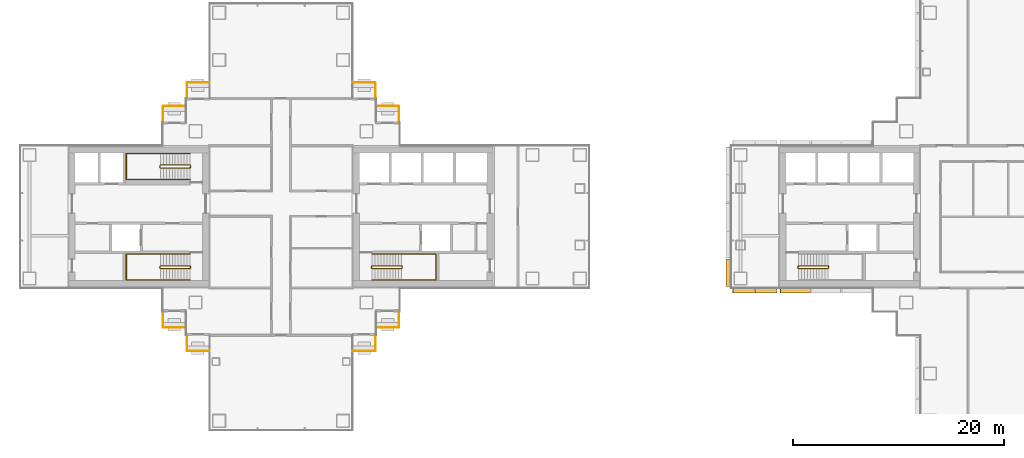
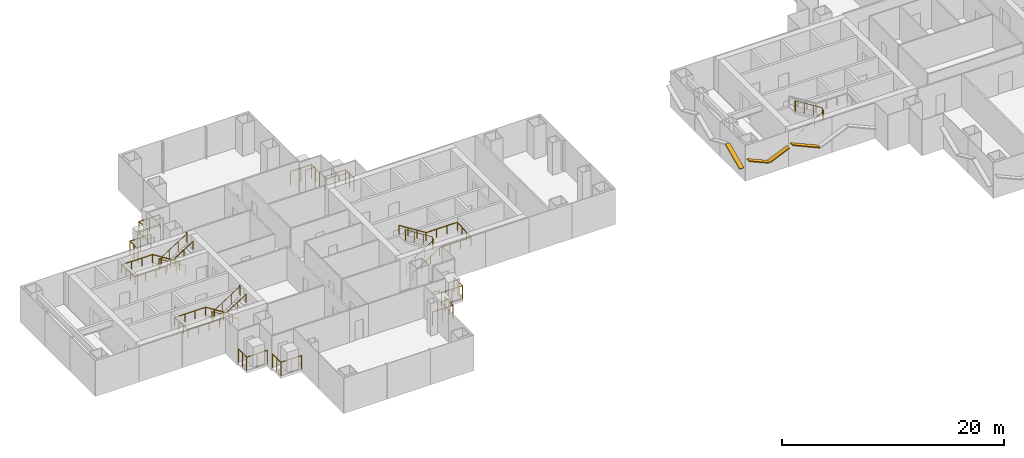
# One storey, part 17 of 20: 15 railings, 4 shading devices.
"""IFC4 building model written with IfcOpenShell, lengths in metres."""

from ifc_helpers import new_model, si_unit, direction, frame, origin, origin_2d, place, context, subcontext, project, spatial, rectangle, circle, extrude, material, material_profile, profile_set, type_object, element, save


model = new_model("IFC4")

# Units and contexts
model_context = context("Model", 3, precision=1e-05, world=origin(), true_north=direction((0.0, 1.0)))
body_context = subcontext(model_context, "Body", "Model", "MODEL_VIEW")
ifc_project = project(units=[si_unit("LENGTHUNIT", "METRE"), si_unit("AREAUNIT", "SQUARE_METRE"), si_unit("VOLUMEUNIT", "CUBIC_METRE"), si_unit("PLANEANGLEUNIT", "RADIAN"), si_unit("MASSUNIT", "GRAM", prefix="KILO")], contexts=[model_context])

# Site, building, storey
site_placement = place(None, origin())
site = spatial("IfcSite", under=ifc_project, at=site_placement, CompositionType="ELEMENT")
building_placement = place(site_placement, origin())
building = spatial("IfcBuilding", under=site, at=building_placement, Name="Shamsa Quay Exchange Towers", CompositionType="ELEMENT")
storey_placement = place(building_placement, frame((0.0, 0.0, 101.39990234375)))
storey = spatial("IfcBuildingStorey", under=building, at=storey_placement, Name="L23", CompositionType="ELEMENT", Elevation=101.39990234375)

# Railings
ifc_material_1 = material(Name="Steel S355, black powder-coated", Category="steel")
railing_type_1 = type_object("IfcRailingType", Name="BALCONY GUARD 1500", PredefinedType="GUARDRAIL", material=ifc_material_1)
for number, where, name in (
    (1, (-22.550048828125, 9.02099609375, 0.0), "Balcony guard T1-PKEN L23"),
    (2, (-24.800048828125, 11.27099609375, 0.0), "Balcony guard T1-PKEN L23"),
):
    element("IfcRailing", number, at=place(storey_placement, frame(where)), inside=storey, type_object=railing_type_1, Name=name, PredefinedType="GUARDRAIL", context=body_context, shape_type="SweptSolid", body=[
        extrude(circle(Radius=0.02392578125, at=origin_2d()), frame((0.0, 0.0, 1.47607421875), z_axis=(0.0, 1.0, 0.0), x_axis=(-1.0, 0.0, 0.0)), (0.0, 0.0, 1.0), 1.47900390625),
        extrude(circle(Radius=0.02392578125, at=origin_2d()), frame((0.0, 1.47900390625, 1.47607421875), z_axis=(-1.0, 0.0, 0.0), x_axis=(0.0, -1.0, 0.0)), (0.0, 0.0, 1.0), 2.161865234375),
        extrude(circle(Radius=0.02099609375, at=origin_2d()), origin(), (0.0, 0.0, 1.0), 1.451904296875),
        extrude(circle(Radius=0.02099609375, at=origin_2d()), frame((0.0, 0.739501953125, 0.0)), (0.0, 0.0, 1.0), 1.451904296875),
        extrude(circle(Radius=0.02099609375, at=origin_2d()), frame((0.0, 1.47900390625, 0.0)), (0.0, 0.0, 1.0), 1.451904296875),
        extrude(circle(Radius=0.02099609375, at=origin_2d()), frame((-1.0810546875, 1.47900390625, 0.0)), (0.0, 0.0, 1.0), 1.451904296875),
        extrude(circle(Radius=0.02099609375, at=origin_2d()), frame((-2.161865234375, 1.47900390625, 0.0)), (0.0, 0.0, 1.0), 1.451904296875),
    ])
for number, where, name in (
    (3, (-24.7119140625, -10.5, 0.0), "Balcony guard T1-PKES L23"),
    (4, (-26.9619140625, -12.75, 0.0), "Balcony guard T1-PKES L23"),
):
    element("IfcRailing", number, at=place(storey_placement, frame(where)), inside=storey, type_object=railing_type_1, Name=name, PredefinedType="GUARDRAIL", context=body_context, shape_type="SweptSolid", body=[
        extrude(circle(Radius=0.02392578125, at=origin_2d()), frame((0.0, 0.0, 1.47607421875), z_axis=(1.0, 0.0, 0.0), x_axis=(0.0, 1.0, 0.0)), (0.0, 0.0, 1.0), 2.161865234375),
        extrude(circle(Radius=0.02392578125, at=origin_2d()), frame((2.161865234375, 0.0, 1.47607421875), z_axis=(0.0, 1.0, 0.0), x_axis=(-1.0, 0.0, 0.0)), (0.0, 0.0, 1.0), 1.47900390625),
        extrude(circle(Radius=0.02099609375, at=origin_2d()), origin(), (0.0, 0.0, 1.0), 1.451904296875),
        extrude(circle(Radius=0.02099609375, at=origin_2d()), frame((1.0810546875, 0.0, 0.0)), (0.0, 0.0, 1.0), 1.451904296875),
        extrude(circle(Radius=0.02099609375, at=origin_2d()), frame((2.161865234375, 0.0, 0.0)), (0.0, 0.0, 1.0), 1.451904296875),
        extrude(circle(Radius=0.02099609375, at=origin_2d()), frame((2.161865234375, 0.739501953125, 0.0)), (0.0, 0.0, 1.0), 1.451904296875),
        extrude(circle(Radius=0.02099609375, at=origin_2d()), frame((2.161865234375, 1.47900390625, 0.0)), (0.0, 0.0, 1.0), 1.451904296875),
    ])
for number, where, name in (
    (5, (-40.5380859375, 12.75, 0.0), "Balcony guard T1-PKWN L23"),
    (6, (-42.7880859375, 10.5, 0.0), "Balcony guard T1-PKWN L23"),
):
    element("IfcRailing", number, at=place(storey_placement, frame(where)), inside=storey, type_object=railing_type_1, Name=name, PredefinedType="GUARDRAIL", context=body_context, shape_type="SweptSolid", body=[
        extrude(circle(Radius=0.02392578125, at=origin_2d()), frame((0.0, 0.0, 1.47607421875), z_axis=(-1.0, 0.0, 0.0), x_axis=(0.0, -1.0, 0.0)), (0.0, 0.0, 1.0), 2.161865234375),
        extrude(circle(Radius=0.02392578125, at=origin_2d()), frame((-2.161865234375, 0.0, 1.47607421875), z_axis=(0.0, -1.0, 0.0), x_axis=(1.0, 0.0, 0.0)), (0.0, 0.0, 1.0), 1.47900390625),
        extrude(circle(Radius=0.02099609375, at=origin_2d()), origin(), (0.0, 0.0, 1.0), 1.451904296875),
        extrude(circle(Radius=0.02099609375, at=origin_2d()), frame((-1.0810546875, 0.0, 0.0)), (0.0, 0.0, 1.0), 1.451904296875),
        extrude(circle(Radius=0.02099609375, at=origin_2d()), frame((-2.161865234375, 0.0, 0.0)), (0.0, 0.0, 1.0), 1.451904296875),
        extrude(circle(Radius=0.02099609375, at=origin_2d()), frame((-2.161865234375, -0.739501953125, 0.0)), (0.0, 0.0, 1.0), 1.451904296875),
        extrude(circle(Radius=0.02099609375, at=origin_2d()), frame((-2.161865234375, -1.47900390625, 0.0)), (0.0, 0.0, 1.0), 1.451904296875),
    ])
for number, where, name in (
    (7, (-44.949951171875, -9.02099609375, 0.0), "Balcony guard T1-PKWS L23"),
    (8, (-42.699951171875, -11.27099609375, 0.0), "Balcony guard T1-PKWS L23"),
):
    element("IfcRailing", number, at=place(storey_placement, frame(where)), inside=storey, type_object=railing_type_1, Name=name, PredefinedType="GUARDRAIL", context=body_context, shape_type="SweptSolid", body=[
        extrude(circle(Radius=0.02392578125, at=origin_2d()), frame((0.0, 0.0, 1.47607421875), z_axis=(0.0, -1.0, 0.0), x_axis=(1.0, 0.0, 0.0)), (0.0, 0.0, 1.0), 1.47900390625),
        extrude(circle(Radius=0.02392578125, at=origin_2d()), frame((0.0, -1.47900390625, 1.47607421875), z_axis=(1.0, 0.0, 0.0), x_axis=(0.0, 1.0, 0.0)), (0.0, 0.0, 1.0), 2.161865234375),
        extrude(circle(Radius=0.02099609375, at=origin_2d()), origin(), (0.0, 0.0, 1.0), 1.451904296875),
        extrude(circle(Radius=0.02099609375, at=origin_2d()), frame((0.0, -0.739501953125, 0.0)), (0.0, 0.0, 1.0), 1.451904296875),
        extrude(circle(Radius=0.02099609375, at=origin_2d()), frame((0.0, -1.47900390625, 0.0)), (0.0, 0.0, 1.0), 1.451904296875),
        extrude(circle(Radius=0.02099609375, at=origin_2d()), frame((1.0810546875, -1.47900390625, 0.0)), (0.0, 0.0, 1.0), 1.451904296875),
        extrude(circle(Radius=0.02099609375, at=origin_2d()), frame((2.161865234375, -1.47900390625, 0.0)), (0.0, 0.0, 1.0), 1.451904296875),
    ])

# Shading devices
ifc_material_2 = material(Name="Aluminium EN AW-6063 T6, black anodised", Category="aluminium")
ifc_material_profile = material_profile(ifc_material_2, rectangle(XDim=0.449951171875, YDim=0.10009765625, at=origin_2d()), Name="FIN450x100")
ifc_profile_set = profile_set([ifc_material_profile], Name="Aluminium EN AW-6063 T6, black anodised")
shading_device_type = type_object("IfcShadingDeviceType", Name="FIN 450x100 BLACK ALUMINIUM", PredefinedType="USERDEFINED", material=ifc_profile_set)
shading_device_1_placement = place(storey_placement, frame((8.735107421875, -4.010009765625, 2.1767578125), z_axis=(0.0, -0.913527255138, -0.406777524109), x_axis=(1.0, 0.0, 0.0)))
element("IfcShadingDevice", 9, at=shading_device_1_placement, inside=storey, type_object=shading_device_type, Name="FIN T2 chevron rib", ObjectType="FIN", PredefinedType="USERDEFINED", context=body_context, shape_type="SweptSolid", body=[
    extrude(rectangle(XDim=0.449951171875, YDim=0.10009765625, at=origin_2d()), origin(), (0.0, 0.0, 1.0), 2.835205078125),
])
for number, where, z_axis, x_axis, name in (
    (10, (9.14990234375, -7.014892578125, 2.056396484375), (0.913569116241, 0.0, -0.406683500835), (0.0, 1.0, 0.0), "FIN T2 chevron rib"),
    (11, (11.300048828125, -7.014892578125, 1.143798828125), (0.913569116241, 0.0, 0.406683500835), (0.0, 1.0, 0.0), "FIN T2 chevron rib"),
):
    element("IfcShadingDevice", number, at=place(storey_placement, frame(where, z_axis=z_axis, x_axis=x_axis)), inside=storey, type_object=shading_device_type, Name=name, ObjectType="FIN", PredefinedType="USERDEFINED", context=body_context, shape_type="SweptSolid", body=[
        extrude(rectangle(XDim=0.449951171875, YDim=0.10009765625, at=origin_2d()), origin(), (0.0, 0.0, 1.0), 2.243896484375),
    ])
shading_device_2_placement = place(storey_placement, frame((13.64990234375, -7.01904296875, 2.234619140625), z_axis=(0.913533816972, 0.0, -0.406762787444), x_axis=(0.0, 1.0, 0.0)))
element("IfcShadingDevice", 12, at=shading_device_2_placement, inside=storey, type_object=shading_device_type, Name="FIN T2 chevron rib", ObjectType="FIN", PredefinedType="USERDEFINED", context=body_context, shape_type="SweptSolid", body=[
    extrude(rectangle(XDim=0.449951171875, YDim=0.10009765625, at=origin_2d()), origin(), (0.0, 0.0, 1.0), 3.119873046875),
])

# Railings
ifc_material_3 = material(Name="Stainless steel", Category="steel")
railing_type_2 = type_object("IfcRailingType", Name="STAIR GUARD 1100", PredefinedType="GUARDRAIL", material=ifc_material_3)
railing_1_placement = place(storey_placement, frame((-25.10009765625, -4.89990234375, 0.177490234375)))
element("IfcRailing", 13, at=railing_1_placement, inside=storey, type_object=railing_type_2, Name="L23 ST1 stair guard 1", PredefinedType="GUARDRAIL", context=body_context, shape_type="SweptSolid", body=[
    extrude(circle(Radius=0.02392578125, at=origin_2d()), frame((0.0, 0.0, 1.076171875), z_axis=(0.844908973607, 0.0, 0.534910110503), x_axis=(0.0, 1.0, 0.0)), (0.0, 0.0, 1.0), 3.31396484375),
    extrude(circle(Radius=0.02392578125, at=origin_2d()), frame((2.800048828125, 0.0, 2.8486328125), z_axis=(0.708833529934, 0.705375805398, 0.0), x_axis=(-0.705375805398, 0.708833529934, 0.0)), (0.0, 0.0, 1.0), 0.070556640625),
    extrude(circle(Radius=0.02392578125, at=origin_2d()), frame((2.85009765625, 0.0498046875, 2.8486328125), z_axis=(0.0, 1.0, 0.0), x_axis=(-1.0, 0.0, 0.0)), (0.0, 0.0, 1.0), 0.150146484375),
    extrude(circle(Radius=0.02392578125, at=origin_2d()), frame((2.85009765625, 0.199951171875, 2.8486328125), z_axis=(-0.262233686654, 0.262233686654, 0.928691007369), x_axis=(-0.707106781187, -0.707106781187, 0.0)), (0.0, 0.0, 1.0), 0.19091796875),
    extrude(circle(Radius=0.02392578125, at=origin_2d()), frame((2.800048828125, 0.25, 3.02587890625), z_axis=(-0.844908973607, 0.0, 0.534910110503), x_axis=(0.0, -1.0, 0.0)), (0.0, 0.0, 1.0), 3.31396484375),
    extrude(circle(Radius=0.02392578125, at=origin_2d()), frame((0.0, 0.25, 4.798828125), z_axis=(-0.24142163986, -0.970420317083, 0.0), x_axis=(0.970420317083, -0.24142163986, 0.0)), (0.0, 0.0, 1.0), 0.206298828125),
    extrude(circle(Radius=0.02392578125, at=origin_2d()), frame((-0.0498046875, 0.0498046875, 4.798828125), z_axis=(0.0, 1.0, 0.0), x_axis=(-1.0, 0.0, 0.0)), (0.0, 0.0, 1.0), 0.150146484375),
    extrude(circle(Radius=0.02099609375, at=origin_2d()), origin(), (0.0, 0.0, 1.0), 1.052001953125),
    extrude(circle(Radius=0.02099609375, at=origin_2d()), frame((0.933349609375, 0.0, 0.5908203125)), (0.0, 0.0, 1.0), 1.052001953125),
    extrude(circle(Radius=0.02099609375, at=origin_2d()), frame((1.86669921875, 0.0, 1.181884765625)), (0.0, 0.0, 1.0), 1.052001953125),
    extrude(circle(Radius=0.02099609375, at=origin_2d()), frame((2.800048828125, 0.0, 1.772705078125)), (0.0, 0.0, 1.0), 1.052001953125),
    extrude(circle(Radius=0.02099609375, at=origin_2d()), frame((2.85009765625, 0.0498046875, 1.772705078125)), (0.0, 0.0, 1.0), 1.052001953125),
    extrude(circle(Radius=0.02099609375, at=origin_2d()), frame((2.85009765625, 0.199951171875, 1.772705078125)), (0.0, 0.0, 1.0), 1.052001953125),
    extrude(circle(Radius=0.02099609375, at=origin_2d()), frame((2.800048828125, 0.25, 1.949951171875)), (0.0, 0.0, 1.0), 1.052001953125),
    extrude(circle(Radius=0.02099609375, at=origin_2d()), frame((1.86669921875, 0.25, 2.540771484375)), (0.0, 0.0, 1.0), 1.052001953125),
    extrude(circle(Radius=0.02099609375, at=origin_2d()), frame((0.933349609375, 0.25, 3.1318359375)), (0.0, 0.0, 1.0), 1.052001953125),
    extrude(circle(Radius=0.02099609375, at=origin_2d()), frame((0.0, 0.25, 3.72265625)), (0.0, 0.0, 1.0), 1.052001953125),
    extrude(circle(Radius=0.02099609375, at=origin_2d()), frame((-0.0498046875, 0.0498046875, 3.72265625)), (0.0, 0.0, 1.0), 1.052001953125),
    extrude(circle(Radius=0.02099609375, at=origin_2d()), frame((-0.0498046875, 0.199951171875, 3.72265625)), (0.0, 0.0, 1.0), 1.052001953125),
])
railing_2_placement = place(storey_placement, frame((-42.39990234375, -4.64990234375, 0.177490234375)))
element("IfcRailing", 14, at=railing_2_placement, inside=storey, type_object=railing_type_2, Name="L23 ST2 stair guard 1", PredefinedType="GUARDRAIL", context=body_context, shape_type="SweptSolid", body=[
    extrude(circle(Radius=0.02392578125, at=origin_2d()), frame((0.0, 0.0, 1.076171875), z_axis=(-0.844908973607, 0.0, 0.534910110503), x_axis=(0.0, -1.0, 0.0)), (0.0, 0.0, 1.0), 3.31396484375),
    extrude(circle(Radius=0.02392578125, at=origin_2d()), frame((-2.800048828125, 0.0, 2.8486328125), z_axis=(-0.707106781187, -0.707106781187, 0.0), x_axis=(0.707106781187, -0.707106781187, 0.0)), (0.0, 0.0, 1.0), 0.07080078125),
    extrude(circle(Radius=0.02392578125, at=origin_2d()), frame((-2.85009765625, -0.050048828125, 2.8486328125), z_axis=(0.0, -1.0, 0.0), x_axis=(1.0, 0.0, 0.0)), (0.0, 0.0, 1.0), 0.150146484375),
    extrude(circle(Radius=0.02392578125, at=origin_2d()), frame((-2.85009765625, -0.2001953125, 2.8486328125), z_axis=(0.262321481514, -0.261041864531, 0.929001929653), x_axis=(0.705375805398, 0.708833529934, 0.0)), (0.0, 0.0, 1.0), 0.190673828125),
    extrude(circle(Radius=0.02392578125, at=origin_2d()), frame((-2.800048828125, -0.25, 3.02587890625), z_axis=(0.844908973607, 0.0, 0.534910110503), x_axis=(0.0, 1.0, 0.0)), (0.0, 0.0, 1.0), 3.31396484375),
    extrude(circle(Radius=0.02392578125, at=origin_2d()), frame((0.0, -0.25, 4.798828125), z_axis=(0.241699205484, 0.970351222016, 0.0), x_axis=(-0.970351222016, 0.241699205484, 0.0)), (0.0, 0.0, 1.0), 0.2060546875),
    extrude(circle(Radius=0.02392578125, at=origin_2d()), frame((0.0498046875, -0.050048828125, 4.798828125), z_axis=(0.0, -1.0, 0.0), x_axis=(1.0, 0.0, 0.0)), (0.0, 0.0, 1.0), 0.150146484375),
    extrude(circle(Radius=0.02099609375, at=origin_2d()), origin(), (0.0, 0.0, 1.0), 1.052001953125),
    extrude(circle(Radius=0.02099609375, at=origin_2d()), frame((-0.933349609375, 0.0, 0.5908203125)), (0.0, 0.0, 1.0), 1.052001953125),
    extrude(circle(Radius=0.02099609375, at=origin_2d()), frame((-1.86669921875, 0.0, 1.181884765625)), (0.0, 0.0, 1.0), 1.052001953125),
    extrude(circle(Radius=0.02099609375, at=origin_2d()), frame((-2.800048828125, 0.0, 1.772705078125)), (0.0, 0.0, 1.0), 1.052001953125),
    extrude(circle(Radius=0.02099609375, at=origin_2d()), frame((-2.85009765625, -0.050048828125, 1.772705078125)), (0.0, 0.0, 1.0), 1.052001953125),
    extrude(circle(Radius=0.02099609375, at=origin_2d()), frame((-2.85009765625, -0.2001953125, 1.772705078125)), (0.0, 0.0, 1.0), 1.052001953125),
    extrude(circle(Radius=0.02099609375, at=origin_2d()), frame((-2.800048828125, -0.25, 1.949951171875)), (0.0, 0.0, 1.0), 1.052001953125),
    extrude(circle(Radius=0.02099609375, at=origin_2d()), frame((-1.86669921875, -0.25, 2.540771484375)), (0.0, 0.0, 1.0), 1.052001953125),
    extrude(circle(Radius=0.02099609375, at=origin_2d()), frame((-0.933349609375, -0.25, 3.1318359375)), (0.0, 0.0, 1.0), 1.052001953125),
    extrude(circle(Radius=0.02099609375, at=origin_2d()), frame((0.0, -0.25, 3.72265625)), (0.0, 0.0, 1.0), 1.052001953125),
    extrude(circle(Radius=0.02099609375, at=origin_2d()), frame((0.0498046875, -0.050048828125, 3.72265625)), (0.0, 0.0, 1.0), 1.052001953125),
    extrude(circle(Radius=0.02099609375, at=origin_2d()), frame((0.0498046875, -0.2001953125, 3.72265625)), (0.0, 0.0, 1.0), 1.052001953125),
])
railing_3_placement = place(storey_placement, frame((-42.39990234375, 4.89990234375, 0.177490234375)))
element("IfcRailing", 15, at=railing_3_placement, inside=storey, type_object=railing_type_2, Name="L23 ST3 stair guard 1", PredefinedType="GUARDRAIL", context=body_context, shape_type="SweptSolid", body=[
    extrude(circle(Radius=0.02392578125, at=origin_2d()), frame((0.0, 0.0, 1.076171875), z_axis=(-0.844908973607, 0.0, 0.534910110503), x_axis=(0.0, -1.0, 0.0)), (0.0, 0.0, 1.0), 3.31396484375),
    extrude(circle(Radius=0.02392578125, at=origin_2d()), frame((-2.800048828125, 0.0, 2.8486328125), z_axis=(-0.708833529934, -0.705375805398, 0.0), x_axis=(0.705375805398, -0.708833529934, 0.0)), (0.0, 0.0, 1.0), 0.070556640625),
    extrude(circle(Radius=0.02392578125, at=origin_2d()), frame((-2.85009765625, -0.0498046875, 2.8486328125), z_axis=(0.0, -1.0, 0.0), x_axis=(1.0, 0.0, 0.0)), (0.0, 0.0, 1.0), 0.150146484375),
    extrude(circle(Radius=0.02392578125, at=origin_2d()), frame((-2.85009765625, -0.199951171875, 2.8486328125), z_axis=(0.262233686654, -0.262233686654, 0.928691007369), x_axis=(0.707106781187, 0.707106781187, 0.0)), (0.0, 0.0, 1.0), 0.19091796875),
    extrude(circle(Radius=0.02392578125, at=origin_2d()), frame((-2.800048828125, -0.25, 3.02587890625), z_axis=(0.844908973607, 0.0, 0.534910110503), x_axis=(0.0, 1.0, 0.0)), (0.0, 0.0, 1.0), 3.31396484375),
    extrude(circle(Radius=0.02392578125, at=origin_2d()), frame((0.0, -0.25, 4.798828125), z_axis=(0.24142163986, 0.970420317083, 0.0), x_axis=(-0.970420317083, 0.24142163986, 0.0)), (0.0, 0.0, 1.0), 0.206298828125),
    extrude(circle(Radius=0.02392578125, at=origin_2d()), frame((0.0498046875, -0.0498046875, 4.798828125), z_axis=(0.0, -1.0, 0.0), x_axis=(1.0, 0.0, 0.0)), (0.0, 0.0, 1.0), 0.150146484375),
    extrude(circle(Radius=0.02099609375, at=origin_2d()), origin(), (0.0, 0.0, 1.0), 1.052001953125),
    extrude(circle(Radius=0.02099609375, at=origin_2d()), frame((-0.933349609375, 0.0, 0.5908203125)), (0.0, 0.0, 1.0), 1.052001953125),
    extrude(circle(Radius=0.02099609375, at=origin_2d()), frame((-1.86669921875, 0.0, 1.181884765625)), (0.0, 0.0, 1.0), 1.052001953125),
    extrude(circle(Radius=0.02099609375, at=origin_2d()), frame((-2.800048828125, 0.0, 1.772705078125)), (0.0, 0.0, 1.0), 1.052001953125),
    extrude(circle(Radius=0.02099609375, at=origin_2d()), frame((-2.85009765625, -0.0498046875, 1.772705078125)), (0.0, 0.0, 1.0), 1.052001953125),
    extrude(circle(Radius=0.02099609375, at=origin_2d()), frame((-2.85009765625, -0.199951171875, 1.772705078125)), (0.0, 0.0, 1.0), 1.052001953125),
    extrude(circle(Radius=0.02099609375, at=origin_2d()), frame((-2.800048828125, -0.25, 1.949951171875)), (0.0, 0.0, 1.0), 1.052001953125),
    extrude(circle(Radius=0.02099609375, at=origin_2d()), frame((-1.86669921875, -0.25, 2.540771484375)), (0.0, 0.0, 1.0), 1.052001953125),
    extrude(circle(Radius=0.02099609375, at=origin_2d()), frame((-0.933349609375, -0.25, 3.1318359375)), (0.0, 0.0, 1.0), 1.052001953125),
    extrude(circle(Radius=0.02099609375, at=origin_2d()), frame((0.0, -0.25, 3.72265625)), (0.0, 0.0, 1.0), 1.052001953125),
    extrude(circle(Radius=0.02099609375, at=origin_2d()), frame((0.0498046875, -0.0498046875, 3.72265625)), (0.0, 0.0, 1.0), 1.052001953125),
    extrude(circle(Radius=0.02099609375, at=origin_2d()), frame((0.0498046875, -0.199951171875, 3.72265625)), (0.0, 0.0, 1.0), 1.052001953125),
])
railing_4_placement = place(storey_placement, frame((15.39990234375, -4.89990234375, 0.177490234375)))
element("IfcRailing", 16, at=railing_4_placement, inside=storey, type_object=railing_type_2, Name="L23 ST4 stair guard 1", PredefinedType="GUARDRAIL", context=body_context, shape_type="SweptSolid", body=[
    extrude(circle(Radius=0.02392578125, at=origin_2d()), frame((0.0, 0.0, 1.076171875), z_axis=(0.844908973607, 0.0, 0.534910110503), x_axis=(0.0, 1.0, 0.0)), (0.0, 0.0, 1.0), 3.31396484375),
    extrude(circle(Radius=0.02392578125, at=origin_2d()), frame((2.800048828125, 0.0, 2.8486328125), z_axis=(0.708833529934, 0.705375805398, 0.0), x_axis=(-0.705375805398, 0.708833529934, 0.0)), (0.0, 0.0, 1.0), 0.070556640625),
    extrude(circle(Radius=0.02392578125, at=origin_2d()), frame((2.85009765625, 0.0498046875, 2.8486328125), z_axis=(0.0, 1.0, 0.0), x_axis=(-1.0, 0.0, 0.0)), (0.0, 0.0, 1.0), 0.150146484375),
    extrude(circle(Radius=0.02392578125, at=origin_2d()), frame((2.85009765625, 0.199951171875, 2.8486328125), z_axis=(-0.262233686654, 0.262233686654, 0.928691007369), x_axis=(-0.707106781187, -0.707106781187, 0.0)), (0.0, 0.0, 1.0), 0.19091796875),
    extrude(circle(Radius=0.02392578125, at=origin_2d()), frame((2.800048828125, 0.25, 3.02587890625), z_axis=(-0.844908973607, 0.0, 0.534910110503), x_axis=(0.0, -1.0, 0.0)), (0.0, 0.0, 1.0), 3.31396484375),
    extrude(circle(Radius=0.02392578125, at=origin_2d()), frame((0.0, 0.25, 4.798828125), z_axis=(-0.24142163986, -0.970420317083, 0.0), x_axis=(0.970420317083, -0.24142163986, 0.0)), (0.0, 0.0, 1.0), 0.206298828125),
    extrude(circle(Radius=0.02392578125, at=origin_2d()), frame((-0.0498046875, 0.0498046875, 4.798828125), z_axis=(0.0, 1.0, 0.0), x_axis=(-1.0, 0.0, 0.0)), (0.0, 0.0, 1.0), 0.150146484375),
    extrude(circle(Radius=0.02099609375, at=origin_2d()), origin(), (0.0, 0.0, 1.0), 1.052001953125),
    extrude(circle(Radius=0.02099609375, at=origin_2d()), frame((0.933349609375, 0.0, 0.5908203125)), (0.0, 0.0, 1.0), 1.052001953125),
    extrude(circle(Radius=0.02099609375, at=origin_2d()), frame((1.86669921875, 0.0, 1.181884765625)), (0.0, 0.0, 1.0), 1.052001953125),
    extrude(circle(Radius=0.02099609375, at=origin_2d()), frame((2.800048828125, 0.0, 1.772705078125)), (0.0, 0.0, 1.0), 1.052001953125),
    extrude(circle(Radius=0.02099609375, at=origin_2d()), frame((2.85009765625, 0.0498046875, 1.772705078125)), (0.0, 0.0, 1.0), 1.052001953125),
    extrude(circle(Radius=0.02099609375, at=origin_2d()), frame((2.85009765625, 0.199951171875, 1.772705078125)), (0.0, 0.0, 1.0), 1.052001953125),
    extrude(circle(Radius=0.02099609375, at=origin_2d()), frame((2.800048828125, 0.25, 1.949951171875)), (0.0, 0.0, 1.0), 1.052001953125),
    extrude(circle(Radius=0.02099609375, at=origin_2d()), frame((1.86669921875, 0.25, 2.540771484375)), (0.0, 0.0, 1.0), 1.052001953125),
    extrude(circle(Radius=0.02099609375, at=origin_2d()), frame((0.933349609375, 0.25, 3.1318359375)), (0.0, 0.0, 1.0), 1.052001953125),
    extrude(circle(Radius=0.02099609375, at=origin_2d()), frame((0.0, 0.25, 3.72265625)), (0.0, 0.0, 1.0), 1.052001953125),
    extrude(circle(Radius=0.02099609375, at=origin_2d()), frame((-0.0498046875, 0.0498046875, 3.72265625)), (0.0, 0.0, 1.0), 1.052001953125),
    extrude(circle(Radius=0.02099609375, at=origin_2d()), frame((-0.0498046875, 0.199951171875, 3.72265625)), (0.0, 0.0, 1.0), 1.052001953125),
])
railing_type_3 = type_object("IfcRailingType", Name="STAIR HANDRAIL 900", PredefinedType="HANDRAIL", material=ifc_material_3)
railing_5_placement = place(storey_placement, frame((-25.10009765625, -6.0, 0.177490234375)))
element("IfcRailing", 17, at=railing_5_placement, inside=storey, type_object=railing_type_3, Name="L23 ST1 stair handrail 1", PredefinedType="HANDRAIL", context=body_context, shape_type="SweptSolid", body=[
    extrude(circle(Radius=0.02392578125, at=origin_2d()), frame((0.0, 0.0, 0.8759765625), z_axis=(0.844908973607, 0.0, 0.534910110503), x_axis=(0.0, 1.0, 0.0)), (0.0, 0.0, 1.0), 3.31396484375),
    extrude(circle(Radius=0.02392578125, at=origin_2d()), frame((2.800048828125, 0.0, 2.6484375), z_axis=(1.0, 0.0, 0.0), x_axis=(0.0, 1.0, 0.0)), (0.0, 0.0, 1.0), 3.25),
    extrude(circle(Radius=0.02392578125, at=origin_2d()), frame((6.050048828125, 0.0, 2.6484375), z_axis=(0.0, 0.997393199914, 0.07215819264), x_axis=(-1.0, 0.0, 0.0)), (0.0, 0.0, 1.0), 2.456298828125),
    extrude(circle(Radius=0.02392578125, at=origin_2d()), frame((6.050048828125, 2.449951171875, 2.82568359375), z_axis=(-1.0, 0.0, 0.0), x_axis=(0.0, -1.0, 0.0)), (0.0, 0.0, 1.0), 3.25),
    extrude(circle(Radius=0.02392578125, at=origin_2d()), frame((2.800048828125, 2.449951171875, 2.82568359375), z_axis=(-0.844908973607, 0.0, 0.534910110503), x_axis=(0.0, -1.0, 0.0)), (0.0, 0.0, 1.0), 3.31396484375),
    extrude(circle(Radius=0.02099609375, at=origin_2d()), origin(), (0.0, 0.0, 1.0), 0.851806640625),
    extrude(circle(Radius=0.02099609375, at=origin_2d()), frame((0.933349609375, 0.0, 0.5908203125)), (0.0, 0.0, 1.0), 0.851806640625),
    extrude(circle(Radius=0.02099609375, at=origin_2d()), frame((1.86669921875, 0.0, 1.181884765625)), (0.0, 0.0, 1.0), 0.851806640625),
    extrude(circle(Radius=0.02099609375, at=origin_2d()), frame((2.800048828125, 0.0, 1.772705078125)), (0.0, 0.0, 1.0), 0.851806640625),
    extrude(circle(Radius=0.02099609375, at=origin_2d()), frame((3.88330078125, 0.0, 1.772705078125)), (0.0, 0.0, 1.0), 0.851806640625),
    extrude(circle(Radius=0.02099609375, at=origin_2d()), frame((4.966796875, 0.0, 1.772705078125)), (0.0, 0.0, 1.0), 0.851806640625),
    extrude(circle(Radius=0.02099609375, at=origin_2d()), frame((6.050048828125, 0.0, 1.772705078125)), (0.0, 0.0, 1.0), 0.851806640625),
    extrude(circle(Radius=0.02099609375, at=origin_2d()), frame((6.050048828125, 0.816650390625, 1.831787109375)), (0.0, 0.0, 1.0), 0.851806640625),
    extrude(circle(Radius=0.02099609375, at=origin_2d()), frame((6.050048828125, 1.63330078125, 1.890869140625)), (0.0, 0.0, 1.0), 0.851806640625),
    extrude(circle(Radius=0.02099609375, at=origin_2d()), frame((6.050048828125, 2.449951171875, 1.949951171875)), (0.0, 0.0, 1.0), 0.851806640625),
    extrude(circle(Radius=0.02099609375, at=origin_2d()), frame((4.966796875, 2.449951171875, 1.949951171875)), (0.0, 0.0, 1.0), 0.851806640625),
    extrude(circle(Radius=0.02099609375, at=origin_2d()), frame((3.88330078125, 2.449951171875, 1.949951171875)), (0.0, 0.0, 1.0), 0.851806640625),
    extrude(circle(Radius=0.02099609375, at=origin_2d()), frame((2.800048828125, 2.449951171875, 1.949951171875)), (0.0, 0.0, 1.0), 0.851806640625),
    extrude(circle(Radius=0.02099609375, at=origin_2d()), frame((1.86669921875, 2.449951171875, 2.540771484375)), (0.0, 0.0, 1.0), 0.851806640625),
    extrude(circle(Radius=0.02099609375, at=origin_2d()), frame((0.933349609375, 2.449951171875, 3.1318359375)), (0.0, 0.0, 1.0), 0.851806640625),
    extrude(circle(Radius=0.02099609375, at=origin_2d()), frame((0.0, 2.449951171875, 3.72265625)), (0.0, 0.0, 1.0), 0.851806640625),
])
railing_6_placement = place(storey_placement, frame((-42.39990234375, -3.550048828125, 0.177490234375)))
element("IfcRailing", 18, at=railing_6_placement, inside=storey, type_object=railing_type_3, Name="L23 ST2 stair handrail 1", PredefinedType="HANDRAIL", context=body_context, shape_type="SweptSolid", body=[
    extrude(circle(Radius=0.02392578125, at=origin_2d()), frame((0.0, 0.0, 0.8759765625), z_axis=(-0.844908973607, 0.0, 0.534910110503), x_axis=(0.0, -1.0, 0.0)), (0.0, 0.0, 1.0), 3.31396484375),
    extrude(circle(Radius=0.02392578125, at=origin_2d()), frame((-2.800048828125, 0.0, 2.6484375), z_axis=(-1.0, 0.0, 0.0), x_axis=(0.0, -1.0, 0.0)), (0.0, 0.0, 1.0), 3.25),
    extrude(circle(Radius=0.02392578125, at=origin_2d()), frame((-6.050048828125, 0.0, 2.6484375), z_axis=(0.0, -0.997393199914, 0.07215819264), x_axis=(1.0, 0.0, 0.0)), (0.0, 0.0, 1.0), 2.456298828125),
    extrude(circle(Radius=0.02392578125, at=origin_2d()), frame((-6.050048828125, -2.449951171875, 2.82568359375), z_axis=(1.0, 0.0, 0.0), x_axis=(0.0, 1.0, 0.0)), (0.0, 0.0, 1.0), 3.25),
    extrude(circle(Radius=0.02392578125, at=origin_2d()), frame((-2.800048828125, -2.449951171875, 2.82568359375), z_axis=(0.844908973607, 0.0, 0.534910110503), x_axis=(0.0, 1.0, 0.0)), (0.0, 0.0, 1.0), 3.31396484375),
    extrude(circle(Radius=0.02099609375, at=origin_2d()), origin(), (0.0, 0.0, 1.0), 0.851806640625),
    extrude(circle(Radius=0.02099609375, at=origin_2d()), frame((-0.933349609375, 0.0, 0.5908203125)), (0.0, 0.0, 1.0), 0.851806640625),
    extrude(circle(Radius=0.02099609375, at=origin_2d()), frame((-1.86669921875, 0.0, 1.181884765625)), (0.0, 0.0, 1.0), 0.851806640625),
    extrude(circle(Radius=0.02099609375, at=origin_2d()), frame((-2.800048828125, 0.0, 1.772705078125)), (0.0, 0.0, 1.0), 0.851806640625),
    extrude(circle(Radius=0.02099609375, at=origin_2d()), frame((-3.88330078125, 0.0, 1.772705078125)), (0.0, 0.0, 1.0), 0.851806640625),
    extrude(circle(Radius=0.02099609375, at=origin_2d()), frame((-4.966796875, 0.0, 1.772705078125)), (0.0, 0.0, 1.0), 0.851806640625),
    extrude(circle(Radius=0.02099609375, at=origin_2d()), frame((-6.050048828125, 0.0, 1.772705078125)), (0.0, 0.0, 1.0), 0.851806640625),
    extrude(circle(Radius=0.02099609375, at=origin_2d()), frame((-6.050048828125, -0.816650390625, 1.831787109375)), (0.0, 0.0, 1.0), 0.851806640625),
    extrude(circle(Radius=0.02099609375, at=origin_2d()), frame((-6.050048828125, -1.63330078125, 1.890869140625)), (0.0, 0.0, 1.0), 0.851806640625),
    extrude(circle(Radius=0.02099609375, at=origin_2d()), frame((-6.050048828125, -2.449951171875, 1.949951171875)), (0.0, 0.0, 1.0), 0.851806640625),
    extrude(circle(Radius=0.02099609375, at=origin_2d()), frame((-4.966796875, -2.449951171875, 1.949951171875)), (0.0, 0.0, 1.0), 0.851806640625),
    extrude(circle(Radius=0.02099609375, at=origin_2d()), frame((-3.88330078125, -2.449951171875, 1.949951171875)), (0.0, 0.0, 1.0), 0.851806640625),
    extrude(circle(Radius=0.02099609375, at=origin_2d()), frame((-2.800048828125, -2.449951171875, 1.949951171875)), (0.0, 0.0, 1.0), 0.851806640625),
    extrude(circle(Radius=0.02099609375, at=origin_2d()), frame((-1.86669921875, -2.449951171875, 2.540771484375)), (0.0, 0.0, 1.0), 0.851806640625),
    extrude(circle(Radius=0.02099609375, at=origin_2d()), frame((-0.933349609375, -2.449951171875, 3.1318359375)), (0.0, 0.0, 1.0), 0.851806640625),
    extrude(circle(Radius=0.02099609375, at=origin_2d()), frame((0.0, -2.449951171875, 3.72265625)), (0.0, 0.0, 1.0), 0.851806640625),
])
railing_7_placement = place(storey_placement, frame((-42.39990234375, 6.0, 0.177490234375)))
element("IfcRailing", 19, at=railing_7_placement, inside=storey, type_object=railing_type_3, Name="L23 ST3 stair handrail 1", PredefinedType="HANDRAIL", context=body_context, shape_type="SweptSolid", body=[
    extrude(circle(Radius=0.02392578125, at=origin_2d()), frame((0.0, 0.0, 0.8759765625), z_axis=(-0.844908973607, 0.0, 0.534910110503), x_axis=(0.0, -1.0, 0.0)), (0.0, 0.0, 1.0), 3.31396484375),
    extrude(circle(Radius=0.02392578125, at=origin_2d()), frame((-2.800048828125, 0.0, 2.6484375), z_axis=(-1.0, 0.0, 0.0), x_axis=(0.0, -1.0, 0.0)), (0.0, 0.0, 1.0), 3.25),
    extrude(circle(Radius=0.02392578125, at=origin_2d()), frame((-6.050048828125, 0.0, 2.6484375), z_axis=(0.0, -0.997393199914, 0.07215819264), x_axis=(1.0, 0.0, 0.0)), (0.0, 0.0, 1.0), 2.456298828125),
    extrude(circle(Radius=0.02392578125, at=origin_2d()), frame((-6.050048828125, -2.449951171875, 2.82568359375), z_axis=(1.0, 0.0, 0.0), x_axis=(0.0, 1.0, 0.0)), (0.0, 0.0, 1.0), 3.25),
    extrude(circle(Radius=0.02392578125, at=origin_2d()), frame((-2.800048828125, -2.449951171875, 2.82568359375), z_axis=(0.844908973607, 0.0, 0.534910110503), x_axis=(0.0, 1.0, 0.0)), (0.0, 0.0, 1.0), 3.31396484375),
    extrude(circle(Radius=0.02099609375, at=origin_2d()), origin(), (0.0, 0.0, 1.0), 0.851806640625),
    extrude(circle(Radius=0.02099609375, at=origin_2d()), frame((-0.933349609375, 0.0, 0.5908203125)), (0.0, 0.0, 1.0), 0.851806640625),
    extrude(circle(Radius=0.02099609375, at=origin_2d()), frame((-1.86669921875, 0.0, 1.181884765625)), (0.0, 0.0, 1.0), 0.851806640625),
    extrude(circle(Radius=0.02099609375, at=origin_2d()), frame((-2.800048828125, 0.0, 1.772705078125)), (0.0, 0.0, 1.0), 0.851806640625),
    extrude(circle(Radius=0.02099609375, at=origin_2d()), frame((-3.88330078125, 0.0, 1.772705078125)), (0.0, 0.0, 1.0), 0.851806640625),
    extrude(circle(Radius=0.02099609375, at=origin_2d()), frame((-4.966796875, 0.0, 1.772705078125)), (0.0, 0.0, 1.0), 0.851806640625),
    extrude(circle(Radius=0.02099609375, at=origin_2d()), frame((-6.050048828125, 0.0, 1.772705078125)), (0.0, 0.0, 1.0), 0.851806640625),
    extrude(circle(Radius=0.02099609375, at=origin_2d()), frame((-6.050048828125, -0.816650390625, 1.831787109375)), (0.0, 0.0, 1.0), 0.851806640625),
    extrude(circle(Radius=0.02099609375, at=origin_2d()), frame((-6.050048828125, -1.63330078125, 1.890869140625)), (0.0, 0.0, 1.0), 0.851806640625),
    extrude(circle(Radius=0.02099609375, at=origin_2d()), frame((-6.050048828125, -2.449951171875, 1.949951171875)), (0.0, 0.0, 1.0), 0.851806640625),
    extrude(circle(Radius=0.02099609375, at=origin_2d()), frame((-4.966796875, -2.449951171875, 1.949951171875)), (0.0, 0.0, 1.0), 0.851806640625),
    extrude(circle(Radius=0.02099609375, at=origin_2d()), frame((-3.88330078125, -2.449951171875, 1.949951171875)), (0.0, 0.0, 1.0), 0.851806640625),
    extrude(circle(Radius=0.02099609375, at=origin_2d()), frame((-2.800048828125, -2.449951171875, 1.949951171875)), (0.0, 0.0, 1.0), 0.851806640625),
    extrude(circle(Radius=0.02099609375, at=origin_2d()), frame((-1.86669921875, -2.449951171875, 2.540771484375)), (0.0, 0.0, 1.0), 0.851806640625),
    extrude(circle(Radius=0.02099609375, at=origin_2d()), frame((-0.933349609375, -2.449951171875, 3.1318359375)), (0.0, 0.0, 1.0), 0.851806640625),
    extrude(circle(Radius=0.02099609375, at=origin_2d()), frame((0.0, -2.449951171875, 3.72265625)), (0.0, 0.0, 1.0), 0.851806640625),
])

save(model, "model.ifc")
